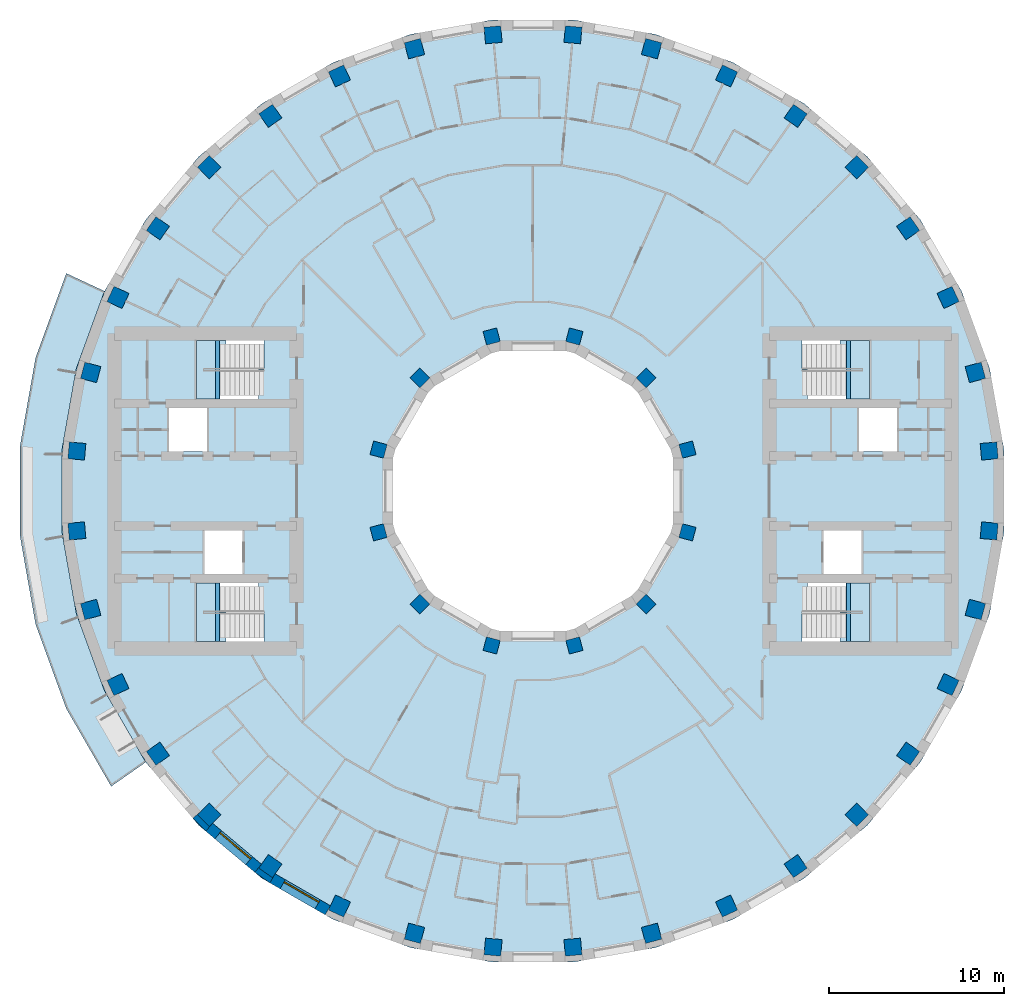
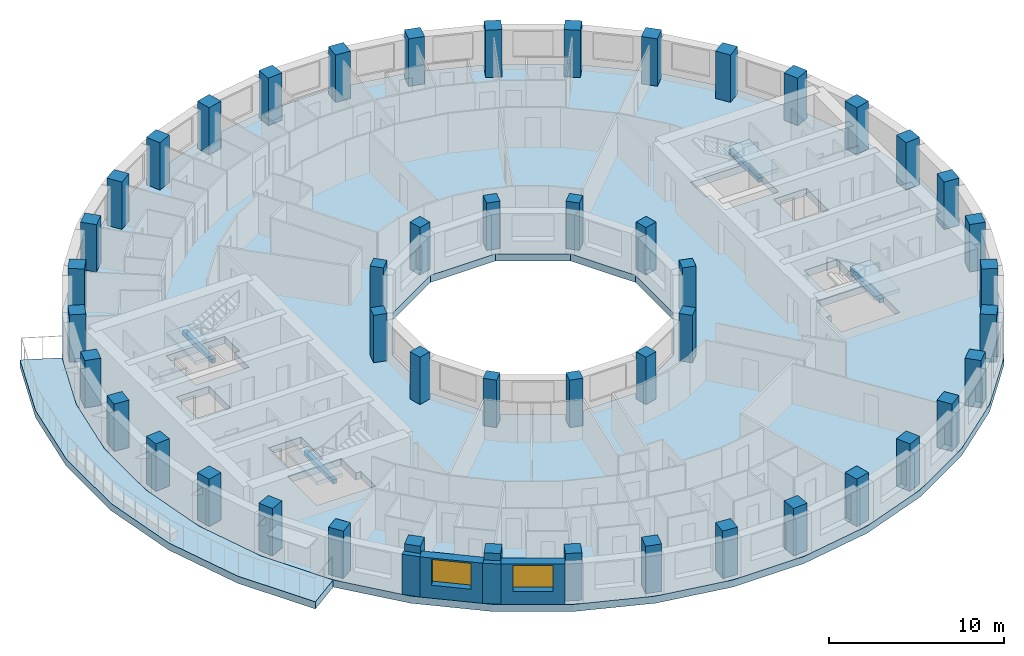
# One storey, part 1 of 12: 48 columns, 6 slabs, 4 beams, 4 walls, 2 windows, 2 openings, 4 elements without a shape of their own.
"""IFC4 building model written with IfcOpenShell, lengths in metres."""

from ifc_helpers import new_model, si_unit, direction, frame, frame_2d, origin, origin_2d, place, context, subcontext, project, spatial, polyline, rectangle, outline, extrude, material, layer, layer_set, material_profile, profile_set, type_object, element, fill, aggregate, save


model = new_model("IFC4")

# Units and contexts
model_context = context("Model", 3, precision=1e-05, world=origin(), true_north=direction((0.0, 1.0)))
body_context = subcontext(model_context, "Body", "Model", "MODEL_VIEW")
ifc_project = project(units=[si_unit("LENGTHUNIT", "METRE"), si_unit("AREAUNIT", "SQUARE_METRE"), si_unit("VOLUMEUNIT", "CUBIC_METRE"), si_unit("PLANEANGLEUNIT", "RADIAN"), si_unit("MASSUNIT", "GRAM", prefix="KILO")], contexts=[model_context])

# Site, building, storey
site_placement = place(None, origin())
site = spatial("IfcSite", under=ifc_project, at=site_placement, CompositionType="ELEMENT")
building_placement = place(site_placement, origin())
building = spatial("IfcBuilding", under=site, at=building_placement, Name="Saqina Gate Tower", CompositionType="ELEMENT")
storey_placement = place(building_placement, frame((0.0, 0.0, 115.0)))
storey = spatial("IfcBuildingStorey", under=building, at=storey_placement, Name="L32", CompositionType="ELEMENT", Elevation=115.0)

# Columns
ifc_material_1 = material(Name="Concrete C70/85", Category="concrete")
ifc_material_profile_1 = material_profile(ifc_material_1, rectangle(XDim=0.800048828125, YDim=0.800048828125, at=origin_2d()), Name="RC 800x800")
ifc_profile_set_1 = profile_set([ifc_material_profile_1], Name="Concrete C70/85")
column_type_1 = type_object("IfcColumnType", Name="STR-COL-IN-B", PredefinedType="COLUMN", material=ifc_profile_set_1)
for number, where, z_axis, x_axis, name in (
    (1, (8.821044921875, 2.363525390625, 0.0), (0.0, 0.0, 1.0), (0.965925826289, 0.258819045103, 0.0), "L32-ICL01"),
    (2, (6.45751953125, 6.45751953125, 0.0), (0.0, 0.0, 1.0), (0.707106781187, 0.707106781187, 0.0), "L32-ICL02"),
    (3, (2.363525390625, 8.821044921875, 0.0), (0.0, 0.0, 1.0), (0.258819045103, 0.965925826289, 0.0), "L32-ICL03"),
    (4, (-2.363525390625, 8.821044921875, 0.0), (0.0, 0.0, 1.0), (-0.258819045103, 0.965925826289, 0.0), "L32-ICL04"),
    (5, (-6.45751953125, 6.45751953125, 0.0), (0.0, 0.0, 1.0), (-0.707106781187, 0.707106781187, 0.0), "L32-ICL05"),
    (6, (-8.821044921875, 2.363525390625, 0.0), (0.0, 0.0, 1.0), (-0.965925826289, 0.258819045103, 0.0), "L32-ICL06"),
    (7, (-8.821044921875, -2.363525390625, 0.0), (0.0, 0.0, 1.0), (-0.965925826289, -0.258819045103, 0.0), "L32-ICL07"),
    (8, (-6.45751953125, -6.45751953125, 0.0), (0.0, 0.0, 1.0), (-0.707106781187, -0.707106781187, 0.0), "L32-ICL08"),
    (9, (-2.363525390625, -8.821044921875, 0.0), (0.0, 0.0, 1.0), (-0.258819045103, -0.965925826289, 0.0), "L32-ICL09"),
    (10, (2.363525390625, -8.821044921875, 0.0), (0.0, 0.0, 1.0), (0.258819045103, -0.965925826289, 0.0), "L32-ICL10"),
    (11, (6.45751953125, -6.45751953125, 0.0), (0.0, 0.0, 1.0), (0.707106781187, -0.707106781187, 0.0), "L32-ICL11"),
    (12, (8.821044921875, -2.363525390625, 0.0), (0.0, 0.0, 1.0), (0.965925826289, -0.258819045103, 0.0), "L32-ICL12"),
):
    element("IfcColumn", number, at=place(storey_placement, frame(where, z_axis=z_axis, x_axis=x_axis)), inside=storey, type_object=column_type_1, Name=name, PredefinedType="COLUMN", context=body_context, shape_type="SweptSolid", body=[
        extrude(rectangle(XDim=0.800048828125, YDim=0.800048828125, at=origin_2d()), origin(), (0.0, 0.0, 1.0), 3.300048828125),
    ])
ifc_material_2 = material(Name="Concrete C70/85", Category="concrete")
ifc_material_profile_2 = material_profile(ifc_material_2, rectangle(XDim=0.949951171875, YDim=0.949951171875, at=origin_2d()), Name="RC 950x950")
ifc_profile_set_2 = profile_set([ifc_material_profile_2], Name="Concrete C70/85")
column_type_2 = type_object("IfcColumnType", Name="STR-COL-OUT-B", PredefinedType="COLUMN", material=ifc_profile_set_2)
for number, where, z_axis, x_axis, name in (
    (13, (26.050537109375, 2.279052734375, 0.0), (0.0, 0.0, 1.0), (0.996194698092, 0.087155742748, 0.0), "L32-COL01"),
    (14, (25.259033203125, 6.76806640625, 0.0), (0.0, 0.0, 1.0), (0.965925826289, 0.258819045103, 0.0), "L32-COL02"),
    (15, (23.699951171875, 11.051513671875, 0.0), (0.0, 0.0, 1.0), (0.906307787037, 0.422618261741, 0.0), "L32-COL03"),
    (16, (21.4208984375, 14.9990234375, 0.0), (0.0, 0.0, 1.0), (0.819152044289, 0.573576436351, 0.0), "L32-COL04"),
    (17, (18.49072265625, 18.49072265625, 0.0), (0.0, 0.0, 1.0), (0.707106781187, 0.707106781187, 0.0), "L32-COL05"),
    (18, (14.9990234375, 21.4208984375, 0.0), (0.0, 0.0, 1.0), (0.573576436351, 0.819152044289, 0.0), "L32-COL06"),
    (19, (11.051513671875, 23.699951171875, 0.0), (0.0, 0.0, 1.0), (0.422618261741, 0.906307787037, 0.0), "L32-COL07"),
    (20, (6.76806640625, 25.259033203125, 0.0), (0.0, 0.0, 1.0), (0.258819045103, 0.965925826289, 0.0), "L32-COL08"),
    (21, (2.279052734375, 26.050537109375, 0.0), (0.0, 0.0, 1.0), (0.087155742748, 0.996194698092, 0.0), "L32-COL09"),
    (22, (-2.279052734375, 26.050537109375, 0.0), (0.0, 0.0, 1.0), (-0.087155742748, 0.996194698092, 0.0), "L32-COL10"),
    (23, (-6.76806640625, 25.259033203125, 0.0), (0.0, 0.0, 1.0), (-0.258819045103, 0.965925826289, 0.0), "L32-COL11"),
    (24, (-11.051513671875, 23.699951171875, 0.0), (0.0, 0.0, 1.0), (-0.422618261741, 0.906307787037, 0.0), "L32-COL12"),
    (25, (-14.9990234375, 21.4208984375, 0.0), (0.0, 0.0, 1.0), (-0.573576436351, 0.819152044289, 0.0), "L32-COL13"),
    (26, (-18.49072265625, 18.49072265625, 0.0), (0.0, 0.0, 1.0), (-0.707106781187, 0.707106781187, 0.0), "L32-COL14"),
    (27, (-21.4208984375, 14.9990234375, 0.0), (0.0, 0.0, 1.0), (-0.819152044289, 0.573576436351, 0.0), "L32-COL15"),
    (28, (-23.699951171875, 11.051513671875, 0.0), (0.0, 0.0, 1.0), (-0.906307787037, 0.422618261741, 0.0), "L32-COL16"),
    (29, (-25.259033203125, 6.76806640625, 0.0), (0.0, 0.0, 1.0), (-0.965925826289, 0.258819045103, 0.0), "L32-COL17"),
    (30, (-26.050537109375, 2.279052734375, 0.0), (0.0, 0.0, 1.0), (-0.996194698092, 0.087155742748, 0.0), "L32-COL18"),
    (31, (-26.050537109375, -2.279052734375, 0.0), (0.0, 0.0, 1.0), (-0.996194698092, -0.087155742748, 0.0), "L32-COL19"),
    (32, (-25.259033203125, -6.76806640625, 0.0), (0.0, 0.0, 1.0), (-0.965925826289, -0.258819045103, 0.0), "L32-COL20"),
    (33, (-23.699951171875, -11.051513671875, 0.0), (0.0, 0.0, 1.0), (-0.906307787037, -0.422618261741, 0.0), "L32-COL21"),
    (34, (-21.4208984375, -14.9990234375, 0.0), (0.0, 0.0, 1.0), (-0.819152044289, -0.573576436351, 0.0), "L32-COL22"),
    (35, (-18.49072265625, -18.49072265625, 0.0), (0.0, 0.0, 1.0), (-0.707106781187, -0.707106781187, 0.0), "L32-COL23"),
    (36, (-14.9990234375, -21.4208984375, 0.0), (0.0, 0.0, 1.0), (-0.573576436351, -0.819152044289, 0.0), "L32-COL24"),
    (37, (-11.051513671875, -23.699951171875, 0.0), (0.0, 0.0, 1.0), (-0.422618261741, -0.906307787037, 0.0), "L32-COL25"),
    (38, (-6.76806640625, -25.259033203125, 0.0), (0.0, 0.0, 1.0), (-0.258819045103, -0.965925826289, 0.0), "L32-COL26"),
    (39, (-2.279052734375, -26.050537109375, 0.0), (0.0, 0.0, 1.0), (-0.087155742748, -0.996194698092, 0.0), "L32-COL27"),
    (40, (2.279052734375, -26.050537109375, 0.0), (0.0, 0.0, 1.0), (0.087155742748, -0.996194698092, 0.0), "L32-COL28"),
    (41, (6.76806640625, -25.259033203125, 0.0), (0.0, 0.0, 1.0), (0.258819045103, -0.965925826289, 0.0), "L32-COL29"),
    (42, (11.051513671875, -23.699951171875, 0.0), (0.0, 0.0, 1.0), (0.422618261741, -0.906307787037, 0.0), "L32-COL30"),
    (43, (14.9990234375, -21.4208984375, 0.0), (0.0, 0.0, 1.0), (0.573576436351, -0.819152044289, 0.0), "L32-COL31"),
    (44, (18.49072265625, -18.49072265625, 0.0), (0.0, 0.0, 1.0), (0.707106781187, -0.707106781187, 0.0), "L32-COL32"),
    (45, (21.4208984375, -14.9990234375, 0.0), (0.0, 0.0, 1.0), (0.819152044289, -0.573576436351, 0.0), "L32-COL33"),
    (46, (23.699951171875, -11.051513671875, 0.0), (0.0, 0.0, 1.0), (0.906307787037, -0.422618261741, 0.0), "L32-COL34"),
    (47, (25.259033203125, -6.76806640625, 0.0), (0.0, 0.0, 1.0), (0.965925826289, -0.258819045103, 0.0), "L32-COL35"),
    (48, (26.050537109375, -2.279052734375, 0.0), (0.0, 0.0, 1.0), (0.996194698092, -0.087155742748, 0.0), "L32-COL36"),
):
    element("IfcColumn", number, at=place(storey_placement, frame(where, z_axis=z_axis, x_axis=x_axis)), inside=storey, type_object=column_type_2, Name=name, PredefinedType="COLUMN", context=body_context, shape_type="SweptSolid", body=[
        extrude(rectangle(XDim=0.949951171875, YDim=0.949951171875, at=origin_2d()), origin(), (0.0, 0.0, 1.0), 3.300048828125),
    ])

# Beams
ifc_material_3 = material(Name="Concrete C40/50", Category="concrete")
ifc_material_profile_3 = material_profile(ifc_material_3, rectangle(XDim=0.25, YDim=0.300048828125, at=origin_2d()), Name="STAIR LANDING BEAM")
ifc_profile_set_3 = profile_set([ifc_material_profile_3], Name="Concrete C40/50")
beam_type = type_object("IfcBeamType", Name="STAIR LANDING BEAM", PredefinedType="BEAM", material=ifc_profile_set_3)
for number, where, z_axis, x_axis, name in (
    (49, (18.02001953125, 5.25, 1.25), (0.0, 1.0, 0.0), (-1.0, 0.0, 0.0), "EXIT STAIR 1 LANDING BEAM"),
    (50, (18.02001953125, -8.60009765625, 1.25), (0.0, 1.0, 0.0), (-1.0, 0.0, 0.0), "EXIT STAIR 2 LANDING BEAM"),
    (51, (-18.02001953125, 5.25, 1.25), (0.0, 1.0, 0.0), (-1.0, 0.0, 0.0), "EXIT STAIR 3 LANDING BEAM"),
    (52, (-18.02001953125, -8.60009765625, 1.25), (0.0, 1.0, 0.0), (-1.0, 0.0, 0.0), "EXIT STAIR 4 LANDING BEAM"),
):
    element("IfcBeam", number, at=place(storey_placement, frame(where, z_axis=z_axis, x_axis=x_axis)), inside=storey, type_object=beam_type, Name=name, PredefinedType="BEAM", context=body_context, shape_type="SweptSolid", body=[
        extrude(rectangle(XDim=0.25, YDim=0.300048828125, at=origin_2d()), origin(), (0.0, 0.0, 1.0), 3.35009765625),
    ])

# Stair, slab
ifc_material_4 = material(Name="Concrete C40/50", Category="concrete")
stair_type = type_object("IfcStairType", Name="EXIT STAIR", PredefinedType="HALF_TURN_STAIR", material=ifc_material_4)
stair_1_placement = place(storey_placement, origin())
stair_1 = element("IfcStair", 53, at=stair_1_placement, inside=storey, type_object=stair_type, Name="EXIT STAIR 1", PredefinedType="HALF_TURN_STAIR")
ifc_material_5 = material(Name="Concrete C40/50", Category="concrete")
ifc_layer_1 = layer(ifc_material_5, 0.25)
ifc_layer_set_1 = layer_set([ifc_layer_1], Name="Concrete C40/50")
slab_type_1 = type_object("IfcSlabType", Name="EXIT STAIR LANDING", PredefinedType="LANDING", material=ifc_layer_set_1)
slab_1_placement = place(storey_placement, frame((0.0, 0.0, 1.39990234375)))
slab_1 = element("IfcSlab", 54, at=slab_1_placement, type_object=slab_type_1, Name="EXIT STAIR 1 LANDING 1", PredefinedType="LANDING", context=body_context, shape_type="SweptSolid", body=[
    extrude(outline(polyline([(19.219970703125, 8.60009765625), (19.219970703125, 5.25), (17.864990234375, 5.25), (17.864990234375, 6.925048828125), (17.534423828125, 6.925048828125), (17.534423828125, 8.60009765625), (17.864990234375, 8.60009765625), (17.8701171875, 8.60009765625), (19.219970703125, 8.60009765625)])), origin(), (0.0, 0.0, 1.0), 0.25),
])
aggregate(stair_1, [slab_1])

stair_2_placement = place(storey_placement, origin())
stair_2 = element("IfcStair", 55, at=stair_2_placement, inside=storey, type_object=stair_type, Name="EXIT STAIR 2", PredefinedType="HALF_TURN_STAIR")
slab_2_placement = place(storey_placement, frame((0.0, 0.0, 1.39990234375)))
slab_2 = element("IfcSlab", 56, at=slab_2_placement, type_object=slab_type_1, Name="EXIT STAIR 2 LANDING 1", PredefinedType="LANDING", context=body_context, shape_type="SweptSolid", body=[
    extrude(outline(polyline([(17.534423828125, -8.60009765625), (17.534423828125, -6.925048828125), (17.864990234375, -6.925048828125), (17.864990234375, -5.25), (19.219970703125, -5.25), (19.219970703125, -8.60009765625), (17.8701171875, -8.60009765625), (17.864990234375, -8.60009765625), (17.534423828125, -8.60009765625)])), origin(), (0.0, 0.0, 1.0), 0.25),
])
aggregate(stair_2, [slab_2])

stair_3_placement = place(storey_placement, origin())
stair_3 = element("IfcStair", 57, at=stair_3_placement, inside=storey, type_object=stair_type, Name="EXIT STAIR 3", PredefinedType="HALF_TURN_STAIR")
slab_3_placement = place(storey_placement, frame((0.0, 0.0, 1.39990234375)))
slab_3 = element("IfcSlab", 58, at=slab_3_placement, type_object=slab_type_1, Name="EXIT STAIR 3 LANDING 1", PredefinedType="LANDING", context=body_context, shape_type="SweptSolid", body=[
    extrude(outline(polyline([(-17.864990234375, 5.25), (-19.219970703125, 5.25), (-19.219970703125, 8.60009765625), (-17.8701171875, 8.60009765625), (-17.864990234375, 8.60009765625), (-17.534423828125, 8.60009765625), (-17.534423828125, 6.925048828125), (-17.864990234375, 6.925048828125), (-17.864990234375, 5.25)])), origin(), (0.0, 0.0, 1.0), 0.25),
])
aggregate(stair_3, [slab_3])

stair_4_placement = place(storey_placement, origin())
stair_4 = element("IfcStair", 59, at=stair_4_placement, inside=storey, type_object=stair_type, Name="EXIT STAIR 4", PredefinedType="HALF_TURN_STAIR")
slab_4_placement = place(storey_placement, frame((0.0, 0.0, 1.39990234375)))
slab_4 = element("IfcSlab", 60, at=slab_4_placement, type_object=slab_type_1, Name="EXIT STAIR 4 LANDING 1", PredefinedType="LANDING", context=body_context, shape_type="SweptSolid", body=[
    extrude(outline(polyline([(-17.534423828125, -6.925048828125), (-17.534423828125, -8.60009765625), (-17.864990234375, -8.60009765625), (-17.8701171875, -8.60009765625), (-19.219970703125, -8.60009765625), (-19.219970703125, -5.25), (-17.864990234375, -5.25), (-17.864990234375, -6.925048828125), (-17.534423828125, -6.925048828125)])), origin(), (0.0, 0.0, 1.0), 0.25),
])
aggregate(stair_4, [slab_4])

# Slabs
ifc_material_6 = material(Name="Concrete C40/50", Category="concrete")
ifc_layer_2 = layer(ifc_material_6, 0.5)
ifc_layer_set_2 = layer_set([ifc_layer_2], Name="Concrete C40/50")
slab_type_2 = type_object("IfcSlabType", Name="STR-POST-TENSIONED FLAT PLATE FLOOR-500", PredefinedType="FLOOR", material=ifc_layer_set_2)
slab_5_placement = place(storey_placement, frame((0.0, 0.0, -0.5)))
element("IfcSlab", 61, at=slab_5_placement, inside=storey, type_object=slab_type_2, Name="L32-SLB01", PredefinedType="FLOOR", context=body_context, shape_type="SweptSolid", body=[
    extrude(outline(polyline([(26.080078125, -6.988037109375), (26.897216796875, -2.353271484375), (26.897216796875, 2.353271484375), (26.080078125, 6.988037109375), (24.47021484375, 11.41064453125), (22.1171875, 15.486572265625), (19.091796875, 19.091796875), (15.486572265625, 22.1171875), (11.41064453125, 24.47021484375), (6.988037109375, 26.080078125), (2.353271484375, 26.897216796875), (-2.353271484375, 26.897216796875), (-6.988037109375, 26.080078125), (-11.41064453125, 24.47021484375), (-15.486572265625, 22.1171875), (-19.091796875, 19.091796875), (-22.1171875, 15.486572265625), (-24.47021484375, 11.41064453125), (-26.080078125, 6.988037109375), (-26.897216796875, 2.353271484375), (-26.897216796875, -2.353271484375), (-26.080078125, -6.988037109375), (-24.47021484375, -11.41064453125), (-22.1171875, -15.486572265625), (-19.091796875, -19.091796875), (-15.486572265625, -22.1171875), (-11.41064453125, -24.47021484375), (-6.988037109375, -26.080078125), (-2.353271484375, -26.897216796875), (2.353271484375, -26.897216796875), (6.988037109375, -26.080078125), (11.41064453125, -24.47021484375), (15.486572265625, -22.1171875), (19.091796875, -19.091796875), (22.1171875, -15.486572265625), (24.47021484375, -11.41064453125), (26.080078125, -6.988037109375)]), holes=[polyline([(2.1435546875, 8.0), (5.8564453125, 5.8564453125), (8.0, 2.1435546875), (8.0, -2.1435546875), (5.8564453125, -5.8564453125), (2.1435546875, -8.0), (-2.1435546875, -8.0), (-5.8564453125, -5.8564453125), (-8.0, -2.1435546875), (-8.0, 2.1435546875), (-5.8564453125, 5.8564453125), (-2.1435546875, 8.0), (2.1435546875, 8.0)]), polyline([(-15.35498046875, -8.60009765625), (-19.219970703125, -8.60009765625), (-19.219970703125, -6.925048828125), (-19.219970703125, -5.25), (-15.685546875, -5.25), (-15.685546875, -6.925048828125), (-15.35498046875, -6.925048828125), (-15.35498046875, -8.60009765625)]), polyline([(-16.590087890625, -2.25), (-16.590087890625, -4.75), (-18.75, -4.75), (-18.75, -2.25), (-16.590087890625, -2.25)]), polyline([(-20.780029296875, 4.75), (-18.6201171875, 4.75), (-18.6201171875, 2.25), (-20.780029296875, 2.25), (-20.780029296875, 4.75)]), polyline([(-19.219970703125, 6.925048828125), (-19.219970703125, 8.60009765625), (-15.35498046875, 8.60009765625), (-15.35498046875, 6.925048828125), (-15.685546875, 6.925048828125), (-15.685546875, 5.25), (-19.219970703125, 5.25), (-19.219970703125, 6.925048828125)]), polyline([(15.35498046875, -8.60009765625), (15.35498046875, -6.925048828125), (15.685546875, -6.925048828125), (15.685546875, -5.25), (19.219970703125, -5.25), (19.219970703125, -6.925048828125), (19.219970703125, -8.60009765625), (15.35498046875, -8.60009765625)]), polyline([(18.75, -2.25), (18.75, -4.75), (16.590087890625, -4.75), (16.590087890625, -2.25), (18.75, -2.25)]), polyline([(18.6201171875, 4.75), (20.780029296875, 4.75), (20.780029296875, 2.25), (18.6201171875, 2.25), (18.6201171875, 4.75)]), polyline([(15.685546875, 6.925048828125), (15.35498046875, 6.925048828125), (15.35498046875, 8.60009765625), (19.219970703125, 8.60009765625), (19.219970703125, 6.925048828125), (19.219970703125, 5.25), (15.685546875, 5.25), (15.685546875, 6.925048828125)])]), origin(), (0.0, 0.0, 1.0), 0.5),
])
ifc_material_7 = material(Name="Concrete C40/50", Category="concrete")
ifc_layer_3 = layer(ifc_material_7, 0.5)
ifc_layer_set_3 = layer_set([ifc_layer_3], Name="Concrete C40/50")
slab_type_3 = type_object("IfcSlabType", Name="STR-POST-TENSIONED FLAT PLATE TERRACE-500", PredefinedType="FLOOR", material=ifc_layer_set_3)
slab_6_placement = place(storey_placement, frame((0.0, 0.0, -0.5)))
element("IfcSlab", 62, at=slab_6_placement, inside=storey, type_object=slab_type_3, Name="L32-TRS01", PredefinedType="FLOOR", context=body_context, shape_type="SweptSolid", body=[
    extrude(outline(polyline([(-24.47021484375, 11.41064453125), (-26.080078125, 6.988037109375), (-26.897216796875, 2.353271484375), (-26.897216796875, -2.353271484375), (-26.080078125, -6.988037109375), (-24.47021484375, -11.41064453125), (-22.1171875, -15.486572265625), (-24.090576171875, -16.868408203125), (-26.65380859375, -12.428955078125), (-28.406982421875, -7.611572265625), (-29.29736328125, -2.563232421875), (-29.29736328125, 2.563232421875), (-28.406982421875, 7.611572265625), (-26.65380859375, 12.428955078125), (-24.47021484375, 11.41064453125)])), origin(), (0.0, 0.0, 1.0), 0.5),
])

# Walls
ifc_material_8 = material(Name="Brick masonry (buff)", Category="masonry")
wall_type_1 = type_object("IfcWallType", Name="BRICK PIER COPING BUFF", PredefinedType="SOLIDWALL", material=ifc_material_8)
wall_1_placement = place(storey_placement, origin())
element("IfcWall", 63, at=wall_1_placement, inside=storey, type_object=wall_type_1, Name="Pier cap L32 column 23", PredefinedType="SOLIDWALL", context=body_context, shape_type="SweptSolid", body=[
    extrude(outline(polyline([(-19.43212890625, -18.686279296875), (-18.686279296875, -19.43212890625), (-18.30078125, -18.972412109375), (-18.49072265625, -19.16259765625), (-19.16259765625, -18.49072265625), (-18.972412109375, -18.30078125), (-19.43212890625, -18.686279296875)])), origin(), (0.0, 0.0, 1.0), 2.800048828125),
])
wall_2_placement = place(storey_placement, origin())
element("IfcWall", 64, at=wall_2_placement, inside=storey, type_object=wall_type_1, Name="Pier cap L32 column 24", PredefinedType="SOLIDWALL", context=body_context, shape_type="SweptSolid", body=[
    extrude(outline(polyline([(-15.0283203125, -22.3818359375), (-14.728271484375, -21.862060546875), (-14.88232421875, -22.08251953125), (-15.66064453125, -21.53759765625), (-15.50634765625, -21.317138671875), (-15.89208984375, -21.77685546875), (-15.0283203125, -22.3818359375)])), origin(), (0.0, 0.0, 1.0), 2.800048828125),
])

# Wall, opening, window
ifc_material_9 = material(Name="Brick masonry (buff)", Category="masonry")
ifc_layer_4 = layer(ifc_material_9, 0.60009765625)
ifc_layer_set_4 = layer_set([ifc_layer_4], Name="FW-BRICK-BUFF")
wall_type_2 = type_object("IfcWallType", Name="FW-BRICK-BUFF", PredefinedType="SOLIDWALL", material=ifc_layer_set_4)
wall_3_placement = place(storey_placement, frame((-18.49365234375, -19.202392578125, 0.0), z_axis=(0.0, 0.0, 1.0), x_axis=(0.766055462616, -0.642774476932, 0.0)))
wall_3 = element("IfcWall", 65, at=wall_3_placement, inside=storey, type_object=wall_type_2, Name="Facade wall L32 facet 23", PredefinedType="SOLIDWALL", context=body_context, shape_type="SweptSolid", body=[
    extrude(rectangle(XDim=3.647705078125, YDim=0.60009765625, at=frame_2d((1.82373046875, 0.0))), origin(), (0.0, 0.0, 1.0), 2.800048828125),
])
opening_1_placement = place(wall_3_placement, frame((0.673828125, 0.0, 0.89990234375)))
opening_1 = element("IfcOpeningElement", 66, at=opening_1_placement, cuts=wall_3, Name="Opening G09-W15", PredefinedType="OPENING", context=body_context, shape_type="SweptSolid", body=[
    extrude(rectangle(XDim=2.300048828125, YDim=1.800048828125, at=frame_2d((1.14990234375, 0.89990234375))), frame((0.0, 0.31201171875, 0.0), z_axis=(0.0, -1.0, 0.0), x_axis=(1.0, 0.0, 0.0)), (0.0, 0.0, 1.0), 0.6240234375),
])
ifc_material_10 = material(Name="Aluminium glazing", Category="aluminium")
window_type = type_object("IfcWindowType", Name="WN-B", PartitioningType="SINGLE_PANEL", PredefinedType="WINDOW", material=ifc_material_10)
window_1_placement = place(opening_1_placement, origin())
window_1 = element("IfcWindow", 67, at=window_1_placement, inside=storey, type_object=window_type, Name="Window L32 facet 23", OverallHeight=1.800048828125, OverallWidth=2.300048828125, PartitioningType="SINGLE_PANEL", PredefinedType="WINDOW", context=body_context, shape_type="SweptSolid", body=[
    extrude(rectangle(XDim=2.300048828125, YDim=1.800048828125, at=frame_2d((1.14990234375, 0.89990234375))), frame((0.0, 0.179931640625, 0.0), z_axis=(0.0, -1.0, 0.0), x_axis=(1.0, 0.0, 0.0)), (0.0, 0.0, 1.0), 0.06005859375),
])
fill(opening_1, window_1)

wall_4_placement = place(storey_placement, frame((-14.878173828125, -22.1220703125, 0.0), z_axis=(0.0, 0.0, 1.0), x_axis=(0.866051847062, -0.499954196102, 0.0)))
wall_4 = element("IfcWall", 68, at=wall_4_placement, inside=storey, type_object=wall_type_2, Name="Facade wall L32 facet 24", PredefinedType="SOLIDWALL", context=body_context, shape_type="SweptSolid", body=[
    extrude(rectangle(XDim=3.647705078125, YDim=0.60009765625, at=frame_2d((1.82373046875, 0.0))), origin(), (0.0, 0.0, 1.0), 2.800048828125),
])
opening_2_placement = place(wall_4_placement, frame((0.673828125, 0.0, 0.89990234375)))
opening_2 = element("IfcOpeningElement", 69, at=opening_2_placement, cuts=wall_4, Name="Opening G09-W16", PredefinedType="OPENING", context=body_context, shape_type="SweptSolid", body=[
    extrude(rectangle(XDim=2.300048828125, YDim=1.800048828125, at=frame_2d((1.14990234375, 0.89990234375))), frame((0.0, 0.31201171875, 0.0), z_axis=(0.0, -1.0, 0.0), x_axis=(1.0, 0.0, 0.0)), (0.0, 0.0, 1.0), 0.6240234375),
])
window_2_placement = place(opening_2_placement, origin())
window_2 = element("IfcWindow", 70, at=window_2_placement, inside=storey, type_object=window_type, Name="Window L32 facet 24", OverallHeight=1.800048828125, OverallWidth=2.300048828125, PartitioningType="SINGLE_PANEL", PredefinedType="WINDOW", context=body_context, shape_type="SweptSolid", body=[
    extrude(rectangle(XDim=2.300048828125, YDim=1.800048828125, at=frame_2d((1.14990234375, 0.89990234375))), frame((0.0, 0.179931640625, 0.0), z_axis=(0.0, -1.0, 0.0), x_axis=(1.0, 0.0, 0.0)), (0.0, 0.0, 1.0), 0.06005859375),
])
fill(opening_2, window_2)

save(model, "model.ifc")
